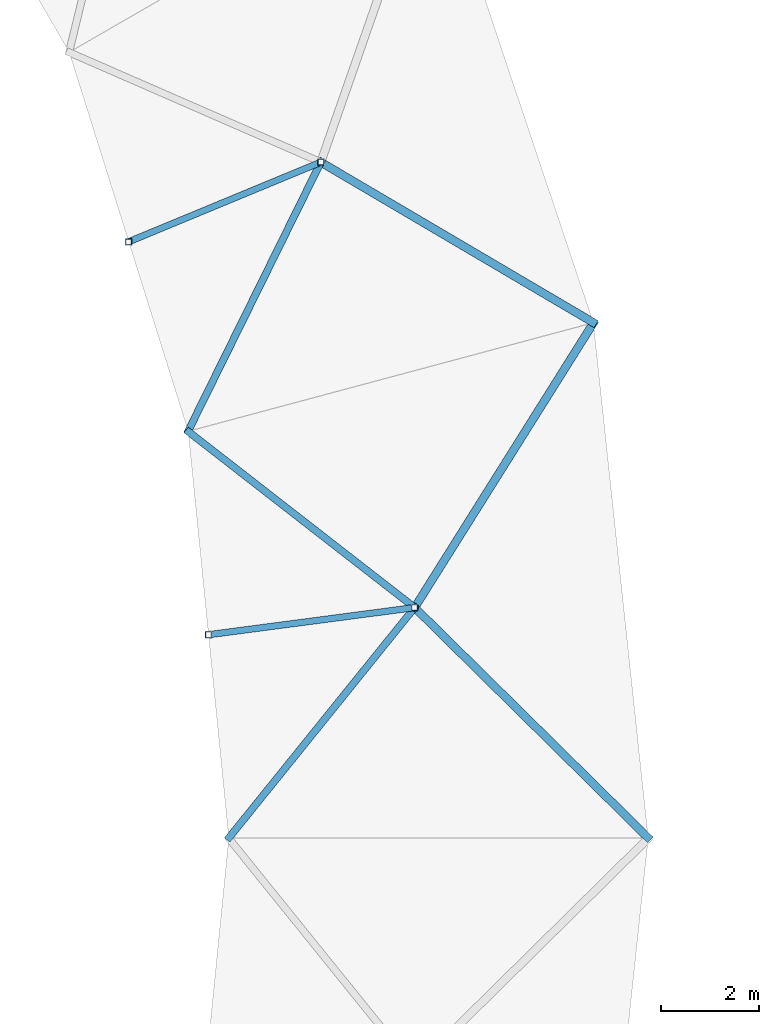
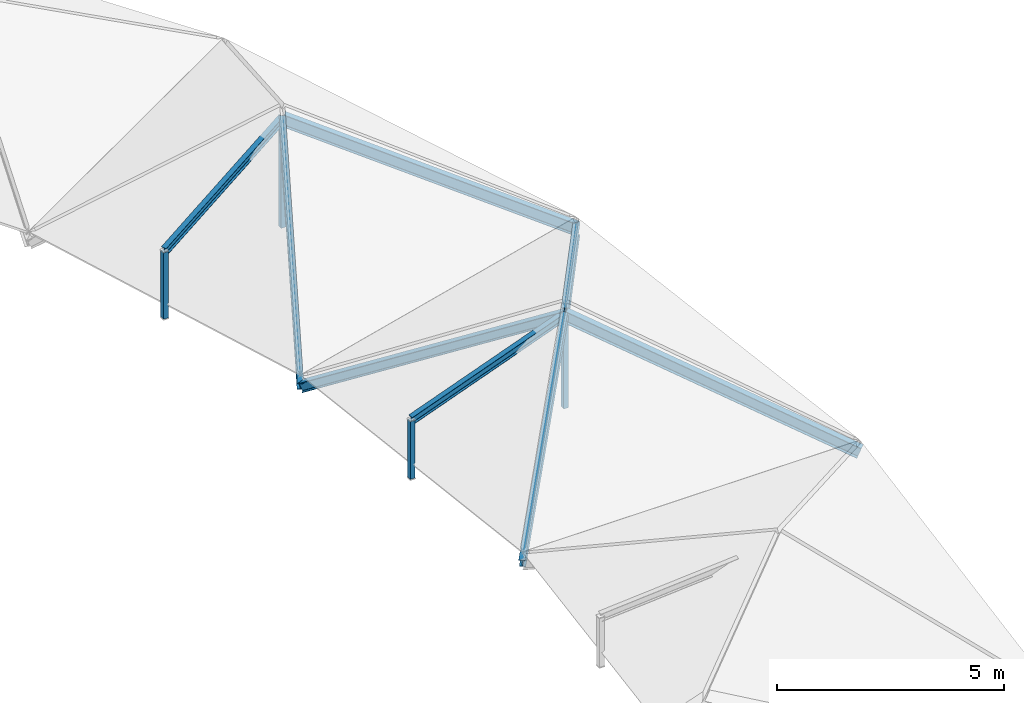
# One storey, part 12 of 28: 12 members.
"""IFC4 building model written with IfcOpenShell, lengths in metres."""

import ifcopenshell
import ifcopenshell.guid

model = None  # the IFC model being written
_history = None  # IfcOwnerHistory: only IFC2X3 demands one
_inside = {}  # id of a spatial element -> (the spatial element, [elements in it])
_under = {}  # id of a project, library or spatial element -> (it, [spatial elements below it])
_declared = {}  # id of a project -> (the project, [libraries it declares])
_typed = {}  # id of a type object -> (the type object, [elements of that type])
_made_of = {}  # id of a material, layer set ... -> (it, [elements and type objects made of it])


def new_model(schema):
    """Start an empty IFC model of exactly this schema.

    Asked for "IFC4X3", IfcOpenShell would pick the latest addendum, in which some entities
    have other attributes; the version numbers below select the first issue.
    IFC2X3 requires an IfcOwnerHistory on every rooted entity: one is made here for all.
    """
    global model, _history
    if schema == "IFC4X3":
        model = ifcopenshell.file(schema_version=(4, 3, 0, 0))
    else:
        model = ifcopenshell.file(schema=schema)
    _inside.clear()
    _under.clear()
    _declared.clear()
    _typed.clear()
    _made_of.clear()
    _history = None
    if model.schema == "IFC2X3":
        org = make("IfcOrganization", Name="unknown")
        user = make(
            "IfcPersonAndOrganization",
            ThePerson=make("IfcPerson", FamilyName="unknown"),
            TheOrganization=org,
        )
        app = make(
            "IfcApplication",
            ApplicationDeveloper=org,
            Version="unknown",
            ApplicationFullName="unknown",
            ApplicationIdentifier="unknown",
        )
        _history = make(
            "IfcOwnerHistory",
            OwningUser=user,
            OwningApplication=app,
            ChangeAction="ADDED",
            CreationDate=0,
        )
    return model


def make(cls, **values):
    """One entity of the class cls with the attributes given. An attribute that is None is left unset."""
    return model.create_entity(
        cls, **{name: value for name, value in values.items() if value is not None}
    )


def rooted(cls, **values):
    """An entity with a GlobalId (a new one), such as an element, a storey or a relation."""
    return make(cls, GlobalId=ifcopenshell.guid.new(), OwnerHistory=_history, **values)


def si_unit(unit_type, name, prefix=None):
    """IfcSIUnit, for example si_unit("LENGTHUNIT", "METRE", prefix="MILLI")."""
    return make("IfcSIUnit", UnitType=unit_type, Prefix=prefix, Name=name)


def assignment(units):
    """IfcUnitAssignment: the units of a project."""
    return None if units is None else make("IfcUnitAssignment", Units=units)


def point(xyz):
    """IfcCartesianPoint."""
    return None if xyz is None else make("IfcCartesianPoint", Coordinates=xyz)


def direction(xyz):
    """IfcDirection."""
    return None if xyz is None else make("IfcDirection", DirectionRatios=xyz)


def frame(location, z_axis=None, x_axis=None):
    """IfcAxis2Placement3D, a coordinate frame: its origin and axes. An axis left out is left unset."""
    return make(
        "IfcAxis2Placement3D",
        Location=point(location),
        Axis=direction(z_axis),
        RefDirection=direction(x_axis),
    )


def frame_2d(location, x_axis=None):
    """IfcAxis2Placement2D, a coordinate frame in the plane: its origin and x axis."""
    return make(
        "IfcAxis2Placement2D", Location=point(location), RefDirection=direction(x_axis)
    )


def origin():
    """The frame at (0, 0, 0) with its axes left unset."""
    return frame((0.0, 0.0, 0.0))


def origin_2d():
    """The frame at (0, 0) in the plane with its x axis left unset."""
    return frame_2d((0.0, 0.0))


def place(relative_to, where):
    """IfcLocalPlacement: puts the frame where relative to a parent placement (None: the world)."""
    return make(
        "IfcLocalPlacement", PlacementRelTo=relative_to, RelativePlacement=where
    )


def context(
    kind, dimensions, precision=None, world=None, true_north=None, identifier=None
):
    """IfcGeometricRepresentationContext, for example the 3D "Model" context."""
    return make(
        "IfcGeometricRepresentationContext",
        ContextIdentifier=identifier,
        ContextType=kind,
        CoordinateSpaceDimension=dimensions,
        Precision=precision,
        WorldCoordinateSystem=world,
        TrueNorth=true_north,
    )


def subcontext(parent, identifier, kind, view, scale=None):
    """IfcGeometricRepresentationSubContext, for example "Body" below "Model"."""
    return make(
        "IfcGeometricRepresentationSubContext",
        ContextIdentifier=identifier,
        ContextType=kind,
        ParentContext=parent,
        TargetScale=scale,
        TargetView=view,
    )


def project(units=None, contexts=None):
    """IfcProject with its units and contexts."""
    return rooted(
        "IfcProject",
        Name="project",
        RepresentationContexts=contexts,
        UnitsInContext=assignment(units),
    )


def spatial(cls, under=None, at=None, **own):
    """A site, building, storey or space (cls), placed at a placement, below another one or the project."""
    s = rooted(cls, ObjectPlacement=at, **own)
    if under is not None:
        _under.setdefault(under.id(), (under, []))[1].append(s)
    return s


def profile(cls, at=None, kind="AREA", **sizes):
    """A parametric profile (cls). Its sizes go by their IFC names, for example OverallWidth=200.0."""
    return make(cls, ProfileType=kind, Position=at, **sizes)


def hollow_rectangle(**sizes):
    """IfcRectangleHollowProfileDef."""
    return profile("IfcRectangleHollowProfileDef", **sizes)


def i_section(**sizes):
    """IfcIShapeProfileDef."""
    return profile("IfcIShapeProfileDef", **sizes)


def extrude(swept, where, along, depth):
    """IfcExtrudedAreaSolid: the profile swept, set in the frame where, extruded along a direction by depth."""
    return make(
        "IfcExtrudedAreaSolid",
        SweptArea=swept,
        Position=where,
        ExtrudedDirection=direction(along),
        Depth=depth,
    )


def shape(context_of_items, identifier, shape_type, items):
    """IfcShapeRepresentation: the items that make up one representation, for example the "Body"."""
    return make(
        "IfcShapeRepresentation",
        ContextOfItems=context_of_items,
        RepresentationIdentifier=identifier,
        RepresentationType=shape_type,
        Items=items,
    )


def material(Name=None, Category=None):
    """IfcMaterial."""
    return make("IfcMaterial", Name=Name, Category=Category)


def material_profile(
    of_material, cross_section, Name=None, Category=None, Priority=None
):
    """IfcMaterialProfile: a cross section and its material."""
    return make(
        "IfcMaterialProfile",
        Name=Name,
        Material=of_material,
        Profile=cross_section,
        Priority=Priority,
        Category=Category,
    )


def profile_set(profiles, Name=None, composite=None):
    """IfcMaterialProfileSet."""
    return make(
        "IfcMaterialProfileSet",
        Name=Name,
        MaterialProfiles=profiles,
        CompositeProfile=composite,
    )


def made_of(thing, what):
    """Note that an element or type object is made of a material, layer set ...; save() writes the relation."""
    if what is not None:
        _made_of.setdefault(what.id(), (what, []))[1].append(thing)
    return thing


def type_object(cls, material=None, **own):
    """A type object (cls), such as IfcWallType, which elements share."""
    return made_of(rooted(cls, **own), material)


def element(
    cls,
    number,
    at=None,
    inside=None,
    cuts=None,
    type_object=None,
    material=None,
    context=None,
    identifier="Body",
    shape_type=None,
    held_by="IfcProductDefinitionShape",
    body=None,
    shapes=None,
    **own,
):
    """One element of the class cls, such as IfcWall. Its Tag is "e" and its number.

    at: its placement. inside: the storey or other place that contains it. cuts: it is an
    opening in that element (IfcRelVoidsElement). A single representation is given by context,
    identifier, shape_type and body (its items); several are given by shapes. held_by: the class
    of the entity that holds the representations. save() writes the other relations.
    """
    e = rooted(cls, Tag="e%d" % number, ObjectPlacement=at, **own)
    if body is not None:
        shapes = [shape(context, identifier, shape_type, body)]
    if shapes is not None:
        e.Representation = make(held_by, Representations=shapes)
    if inside is not None:
        _inside.setdefault(inside.id(), (inside, []))[1].append(e)
    if cuts is not None:
        rooted(
            "IfcRelVoidsElement", RelatingBuildingElement=cuts, RelatedOpeningElement=e
        )
    if type_object is not None:
        _typed.setdefault(type_object.id(), (type_object, []))[1].append(e)
    return made_of(e, material)


def aggregate(whole, parts):
    """IfcRelAggregates: a whole, such as a stair, and the parts it consists of."""
    return rooted("IfcRelAggregates", RelatingObject=whole, RelatedObjects=parts)


def save(model, path):
    """Write the relations noted so far, then the file.

    IfcRelAggregates (storeys below a building ...), IfcRelContainedInSpatialStructure (elements
    in a storey), IfcRelDefinesByType, IfcRelAssociatesMaterial and IfcRelDeclares: one each for
    every whole, place, type object, material and project.
    """
    for whole, parts in _under.values():
        aggregate(whole, parts)
    for where, things in _inside.values():
        rooted(
            "IfcRelContainedInSpatialStructure",
            RelatedElements=things,
            RelatingStructure=where,
        )
    for kind, things in _typed.values():
        rooted("IfcRelDefinesByType", RelatedObjects=things, RelatingType=kind)
    for what, things in _made_of.values():
        rooted("IfcRelAssociatesMaterial", RelatedObjects=things, RelatingMaterial=what)
    for by, libraries in _declared.values():
        rooted("IfcRelDeclares", RelatingContext=by, RelatedDefinitions=libraries)
    model.write(path)


model = new_model("IFC4")

# Units and contexts
model_context = context("Model", 3, precision=1e-05, world=origin(), true_north=direction((0.0, 1.0)))
body_context = subcontext(model_context, "Body", "Model", "MODEL_VIEW")
ifc_project = project(units=[si_unit("LENGTHUNIT", "METRE"), si_unit("AREAUNIT", "SQUARE_METRE"), si_unit("VOLUMEUNIT", "CUBIC_METRE"), si_unit("PLANEANGLEUNIT", "RADIAN"), si_unit("MASSUNIT", "GRAM", prefix="KILO")], contexts=[model_context])

# Site, building, storey
site_placement = place(None, origin())
site = spatial("IfcSite", under=ifc_project, at=site_placement, CompositionType="ELEMENT")
building_placement = place(site_placement, origin())
building = spatial("IfcBuilding", under=site, at=building_placement, Name="Karori Crest Natural Sciences Institute", CompositionType="ELEMENT")
storey_placement = place(building_placement, frame((0.0, 0.0, 34.300048828125)))
storey = spatial("IfcBuildingStorey", under=building, at=storey_placement, Name="L08", CompositionType="ELEMENT", Elevation=34.300048828125)

# Members
ifc_material_1 = material(Name="Structural steel AS/NZS 3679.1 Grade 350", Category="steel")
ifc_material_profile_1 = material_profile(ifc_material_1, i_section(OverallWidth=0.166015625, OverallDepth=0.306884765625, WebThickness=0.006591796875, FlangeThickness=0.01171875, FilletRadius=0.010986328125, at=origin_2d()), Name="310UB46.2")
ifc_profile_set_1 = profile_set([ifc_material_profile_1], Name="Structural steel AS/NZS 3679.1 Grade 350")
member_type_1 = type_object("IfcMemberType", Name="MT-06", PredefinedType="RAFTER", material=ifc_profile_set_1)
member_1_placement = place(storey_placement, frame((99.39990234375, 49.89990234375, -0.260009765625), z_axis=(-0.667658682521, 0.658570491431, 0.347155284376), x_axis=(-0.702244734188, -0.711935624411, 0.0)))
element("IfcMember", 1, at=member_1_placement, inside=storey, type_object=member_type_1, Name="Member M-0031", PredefinedType="RAFTER", context=body_context, shape_type="SweptSolid", body=[
    extrude(i_section(OverallWidth=0.166015625, OverallDepth=0.306884765625, WebThickness=0.006591796875, FlangeThickness=0.01171875, FilletRadius=0.010986328125, at=origin_2d()), origin(), (0.0, 0.0, 1.0), 7.172607421875),
])
member_2_placement = place(storey_placement, frame((98.275634765625, 60.459716796875, -0.260009765625), z_axis=(-0.500119792762, -0.796493247567, 0.339821570045), x_axis=(0.846891844045, -0.531765177959, 0.0)))
element("IfcMember", 2, at=member_2_placement, inside=storey, type_object=member_type_1, Name="Member M-0032", PredefinedType="RAFTER", context=body_context, shape_type="SweptSolid", body=[
    extrude(i_section(OverallWidth=0.166015625, OverallDepth=0.306884765625, WebThickness=0.006591796875, FlangeThickness=0.01171875, FilletRadius=0.010986328125, at=origin_2d()), origin(), (0.0, 0.0, 1.0), 7.327392578125),
])
member_3_placement = place(storey_placement, frame((98.275634765625, 60.459716796875, -0.260009765625), z_axis=(-0.786099937394, 0.462694610299, 0.409829947697), x_axis=(-0.507250508331, -0.861798655022, 0.0)))
element("IfcMember", 3, at=member_3_placement, inside=storey, type_object=member_type_1, Name="Member M-0038", PredefinedType="RAFTER", context=body_context, shape_type="SweptSolid", body=[
    extrude(i_section(OverallWidth=0.166015625, OverallDepth=0.306884765625, WebThickness=0.006591796875, FlangeThickness=0.01171875, FilletRadius=0.010986328125, at=origin_2d()), origin(), (0.0, 0.0, 1.0), 7.107421875),
])
ifc_material_profile_2 = material_profile(ifc_material_1, i_section(OverallWidth=0.14599609375, OverallDepth=0.256103515625, WebThickness=0.00634765625, FlangeThickness=0.010986328125, FilletRadius=0.009033203125, at=origin_2d()), Name="250UB37.3")
ifc_profile_set_2 = profile_set([ifc_material_profile_2], Name="Structural steel AS/NZS 3679.1 Grade 350")
member_type_2 = type_object("IfcMemberType", Name="MT-07", PredefinedType="RAFTER", material=ifc_profile_set_2)
member_4_placement = place(storey_placement, frame((90.800048828125, 49.89990234375, -0.260009765625), z_axis=(0.580929238297, 0.720039647826, 0.379557802779), x_axis=(-0.778279867467, 0.627917548644, 0.0)))
element("IfcMember", 4, at=member_4_placement, inside=storey, type_object=member_type_2, Name="Member M-0033", PredefinedType="RAFTER", context=body_context, shape_type="SweptSolid", body=[
    extrude(i_section(OverallWidth=0.14599609375, OverallDepth=0.256103515625, WebThickness=0.00634765625, FlangeThickness=0.010986328125, FilletRadius=0.009033203125, at=origin_2d()), origin(), (0.0, 0.0, 1.0), 6.560302734375),
])
member_5_placement = place(storey_placement, frame((89.968505859375, 58.23388671875, -0.260009765625), z_axis=(0.726928735146, -0.565304066856, 0.389879373672), x_axis=(0.613883133389, 0.789396920782, 0.0)))
element("IfcMember", 5, at=member_5_placement, inside=storey, type_object=member_type_2, Name="Member M-0034", PredefinedType="RAFTER", context=body_context, shape_type="SweptSolid", body=[
    extrude(i_section(OverallWidth=0.14599609375, OverallDepth=0.256103515625, WebThickness=0.00634765625, FlangeThickness=0.010986328125, FilletRadius=0.009033203125, at=origin_2d()), origin(), (0.0, 0.0, 1.0), 6.386474609375),
])
member_6_placement = place(storey_placement, frame((89.968505859375, 58.23388671875, -0.260009765625), z_axis=(0.399772944646, 0.810490216383, 0.428120545963), x_axis=(-0.896836130433, 0.44236292244, 0.0)))
element("IfcMember", 6, at=member_6_placement, inside=storey, type_object=member_type_2, Name="Member M-0040", PredefinedType="RAFTER", context=body_context, shape_type="SweptSolid", body=[
    extrude(i_section(OverallWidth=0.14599609375, OverallDepth=0.256103515625, WebThickness=0.00634765625, FlangeThickness=0.010986328125, FilletRadius=0.009033203125, at=origin_2d()), origin(), (0.0, 0.0, 1.0), 6.8037109375),
])
ifc_material_profile_3 = material_profile(ifc_material_1, i_section(OverallWidth=0.133056640625, OverallDepth=0.202880859375, WebThickness=0.005859375, FlangeThickness=0.0078125, FilletRadius=0.009033203125, at=origin_2d()), Name="200UB25.4")
ifc_profile_set_3 = profile_set([ifc_material_profile_3], Name="Structural steel AS/NZS 3679.1 Grade 350")
member_type_3 = type_object("IfcMemberType", Name="MT-09", PredefinedType="PURLIN", material=ifc_profile_set_3)
member_7_placement = place(storey_placement, frame((90.38427734375, 54.06689453125, 1.22998046875), z_axis=(0.965242151411, 0.127115583967, 0.228362031547), x_axis=(-0.130565612512, 0.991439670797, 0.0)))
element("IfcMember", 7, at=member_7_placement, inside=storey, type_object=member_type_3, Name="Member M-0035", PredefinedType="PURLIN", context=body_context, shape_type="SweptSolid", body=[
    extrude(i_section(OverallWidth=0.133056640625, OverallDepth=0.202880859375, WebThickness=0.005859375, FlangeThickness=0.0078125, FilletRadius=0.009033203125, at=origin_2d()), origin(), (0.0, 0.0, 1.0), 4.37890625),
])
member_8_placement = place(storey_placement, frame((88.749755859375, 62.116943359375, 1.4609375), z_axis=(0.889770091002, 0.368526854774, 0.269252934003), x_axis=(-0.38265863017, 0.923889805527, 0.0)))
element("IfcMember", 8, at=member_8_placement, inside=storey, type_object=member_type_3, Name="Member M-0042", PredefinedType="PURLIN", context=body_context, shape_type="SweptSolid", body=[
    extrude(i_section(OverallWidth=0.133056640625, OverallDepth=0.202880859375, WebThickness=0.005859375, FlangeThickness=0.0078125, FilletRadius=0.009033203125, at=origin_2d()), origin(), (0.0, 0.0, 1.0), 4.4267578125),
])
ifc_material_2 = material(Name="Hollow structural steel AS/NZS 1163 Grade C350", Category="steel")
ifc_material_profile_4 = material_profile(ifc_material_2, hollow_rectangle(XDim=0.125, YDim=0.125, WallThickness=0.006103515625, at=origin_2d()), Name="SHS125x125x6")
ifc_profile_set_4 = profile_set([ifc_material_profile_4], Name="Hollow structural steel AS/NZS 1163 Grade C350")
member_type_4 = type_object("IfcMemberType", Name="MT-20", PredefinedType="STRUT", material=ifc_profile_set_4)
member_9_placement = place(storey_placement, frame((94.611083984375, 54.62353515625, -0.2451171875), z_axis=(0.0, 0.0, 1.0), x_axis=(1.0, 0.0, 0.0)))
element("IfcMember", 9, at=member_9_placement, inside=storey, type_object=member_type_4, Name="Member M-0029", PredefinedType="STRUT", context=body_context, shape_type="SweptSolid", body=[
    extrude(hollow_rectangle(XDim=0.125, YDim=0.125, WallThickness=0.006103515625, at=origin_2d()), origin(), (0.0, 0.0, 1.0), 2.47509765625),
])
member_10_placement = place(storey_placement, frame((90.38427734375, 54.06689453125, -0.322998046875), z_axis=(0.0, 0.0, 1.0), x_axis=(1.0, 0.0, 0.0)))
element("IfcMember", 10, at=member_10_placement, inside=storey, type_object=member_type_4, Name="Member M-0030", PredefinedType="STRUT", context=body_context, shape_type="SweptSolid", body=[
    extrude(hollow_rectangle(XDim=0.125, YDim=0.125, WallThickness=0.006103515625, at=origin_2d()), origin(), (0.0, 0.0, 1.0), 1.552978515625),
])
member_11_placement = place(storey_placement, frame((92.6884765625, 63.748291015625, -0.2451171875), z_axis=(0.0, 0.0, 1.0), x_axis=(1.0, 0.0, 0.0)))
element("IfcMember", 11, at=member_11_placement, inside=storey, type_object=member_type_4, Name="Member M-0036", PredefinedType="STRUT", context=body_context, shape_type="SweptSolid", body=[
    extrude(hollow_rectangle(XDim=0.125, YDim=0.125, WallThickness=0.006103515625, at=origin_2d()), origin(), (0.0, 0.0, 1.0), 2.89794921875),
])
member_12_placement = place(storey_placement, frame((88.749755859375, 62.116943359375, -0.322998046875), z_axis=(0.0, 0.0, 1.0), x_axis=(1.0, 0.0, 0.0)))
element("IfcMember", 12, at=member_12_placement, inside=storey, type_object=member_type_4, Name="Member M-0037", PredefinedType="STRUT", context=body_context, shape_type="SweptSolid", body=[
    extrude(hollow_rectangle(XDim=0.125, YDim=0.125, WallThickness=0.006103515625, at=origin_2d()), origin(), (0.0, 0.0, 1.0), 1.783935546875),
])

save(model, "model.ifc")
